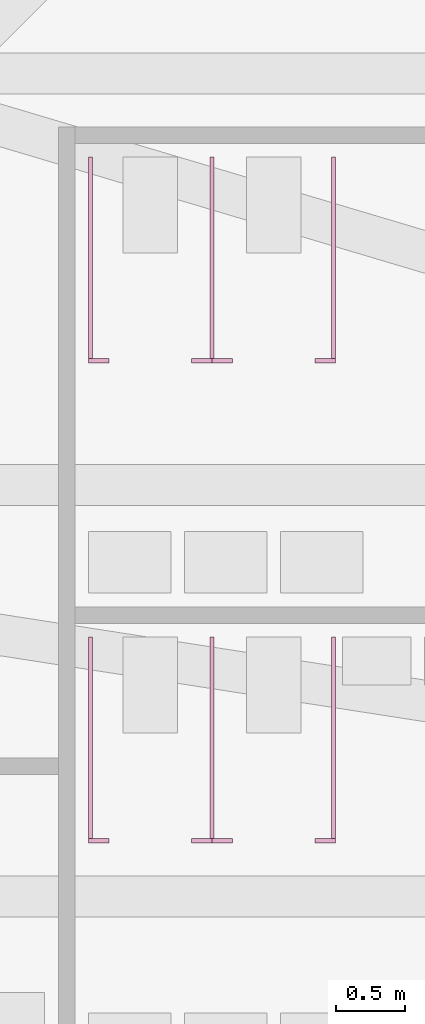
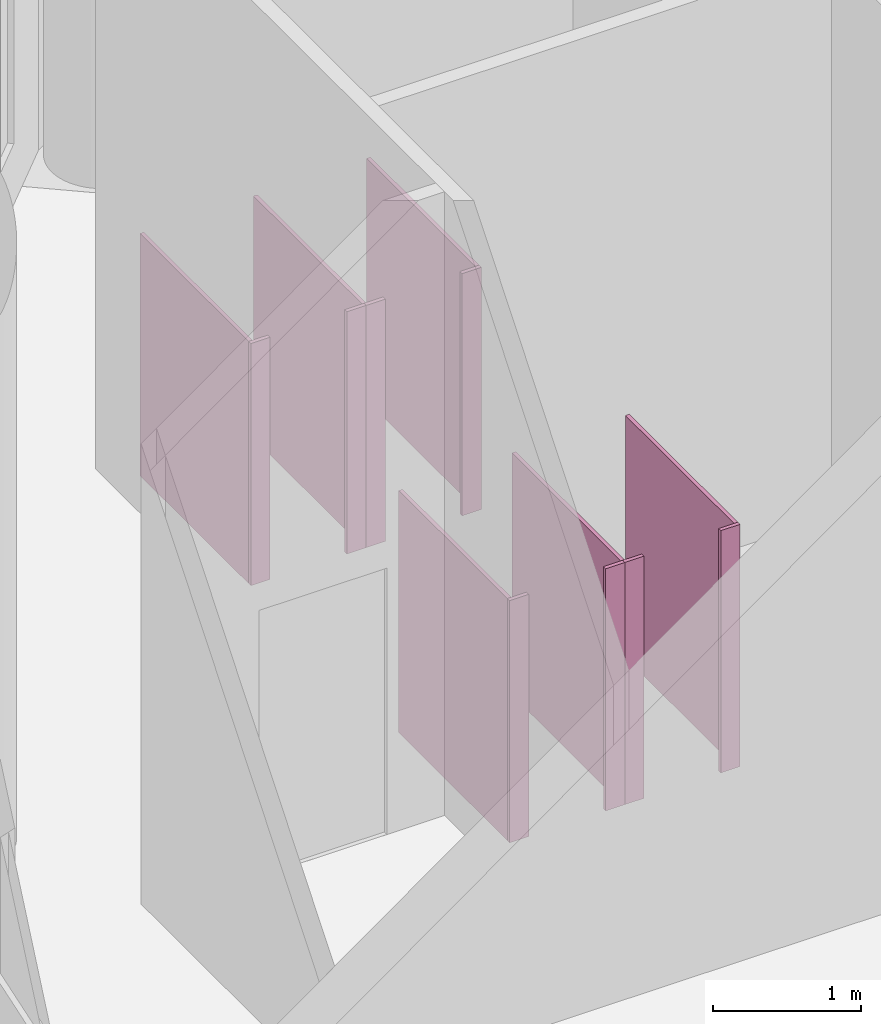
# One storey, part 11 of 11: 14 furniture elements.
"""IFC4 building model written with IfcOpenShell, lengths in metres."""

from ifc_helpers import new_model, si_unit, direction, frame, origin, origin_2d, place, context, subcontext, project, spatial, rectangle, extrude, element, save


model = new_model("IFC4")

# Units and contexts
model_context = context("Model", 3, precision=1e-05, world=origin(), true_north=direction((0.0, 1.0)))
body_context = subcontext(model_context, "Body", "Model", "MODEL_VIEW")
ifc_project = project(units=[si_unit("LENGTHUNIT", "METRE"), si_unit("AREAUNIT", "SQUARE_METRE"), si_unit("VOLUMEUNIT", "CUBIC_METRE"), si_unit("PLANEANGLEUNIT", "RADIAN"), si_unit("MASSUNIT", "GRAM", prefix="KILO")], contexts=[model_context])

# Site, building, storey
site_placement = place(None, origin())
site = spatial("IfcSite", under=ifc_project, at=site_placement, CompositionType="ELEMENT")
building_placement = place(site_placement, origin())
building = spatial("IfcBuilding", under=site, at=building_placement, Name="Hankou Lantern Tower", CompositionType="ELEMENT")
storey_placement = place(building_placement, frame((0.0, 0.0, 237.300048828125)))
storey = spatial("IfcBuildingStorey", under=building, at=storey_placement, Name="L64", CompositionType="ELEMENT", Elevation=237.300048828125)

# Furniture
for number, where, z_axis, x_axis, name in (
    (1, (-14.52490234375, 2.655029296875, 0.0), (0.0, 0.0, 1.0), (1.0, 0.0, 0.0), "Male WC cubicle partition 1"),
    (2, (-13.639892578125, 2.655029296875, 0.0), (0.0, 0.0, 1.0), (1.0, 0.0, 0.0), "Male WC cubicle partition 2"),
    (3, (-12.7548828125, 2.655029296875, 0.0), (0.0, 0.0, 1.0), (1.0, 0.0, 0.0), "Male WC cubicle partition 3"),
):
    element("IfcFurniture", number, at=place(storey_placement, frame(where, z_axis=z_axis, x_axis=x_axis)), inside=storey, Name=name, ObjectType="WC cubicle partition", PredefinedType="USERDEFINED", context=body_context, shape_type="SweptSolid", body=[
        extrude(rectangle(XDim=0.030029296875, YDim=1.469970703125, at=origin_2d()), origin(), (0.0, 0.0, 1.0), 2.0),
    ])
for number, where, z_axis, x_axis, name in (
    (4, (-14.465087890625, 1.905029296875, 0.0), (0.0, 0.0, 1.0), (1.0, 0.0, 0.0), "Male WC cubicle partition 4"),
    (5, (-13.715087890625, 1.905029296875, 0.0), (0.0, 0.0, 1.0), (1.0, 0.0, 0.0), "Male WC cubicle partition 5"),
    (6, (-13.56494140625, 1.905029296875, 0.0), (0.0, 0.0, 1.0), (1.0, 0.0, 0.0), "Male WC cubicle partition 6"),
    (7, (-12.81494140625, 1.905029296875, 0.0), (0.0, 0.0, 1.0), (1.0, 0.0, 0.0), "Male WC cubicle partition 7"),
):
    element("IfcFurniture", number, at=place(storey_placement, frame(where, z_axis=z_axis, x_axis=x_axis)), inside=storey, Name=name, ObjectType="WC cubicle partition", PredefinedType="USERDEFINED", context=body_context, shape_type="SweptSolid", body=[
        extrude(rectangle(XDim=0.14990234375, YDim=0.030029296875, at=origin_2d()), origin(), (0.0, 0.0, 1.0), 2.0),
    ])
for number, where, z_axis, x_axis, name in (
    (8, (-14.52490234375, 6.155029296875, 0.0), (0.0, 0.0, 1.0), (1.0, 0.0, 0.0), "Female WC cubicle partition 1"),
    (9, (-13.639892578125, 6.155029296875, 0.0), (0.0, 0.0, 1.0), (1.0, 0.0, 0.0), "Female WC cubicle partition 2"),
    (10, (-12.7548828125, 6.155029296875, 0.0), (0.0, 0.0, 1.0), (1.0, 0.0, 0.0), "Female WC cubicle partition 3"),
):
    element("IfcFurniture", number, at=place(storey_placement, frame(where, z_axis=z_axis, x_axis=x_axis)), inside=storey, Name=name, ObjectType="WC cubicle partition", PredefinedType="USERDEFINED", context=body_context, shape_type="SweptSolid", body=[
        extrude(rectangle(XDim=0.030029296875, YDim=1.469970703125, at=origin_2d()), origin(), (0.0, 0.0, 1.0), 2.0),
    ])
for number, where, z_axis, x_axis, name in (
    (11, (-14.465087890625, 5.405029296875, 0.0), (0.0, 0.0, 1.0), (1.0, 0.0, 0.0), "Female WC cubicle partition 4"),
    (12, (-13.715087890625, 5.405029296875, 0.0), (0.0, 0.0, 1.0), (1.0, 0.0, 0.0), "Female WC cubicle partition 5"),
    (13, (-13.56494140625, 5.405029296875, 0.0), (0.0, 0.0, 1.0), (1.0, 0.0, 0.0), "Female WC cubicle partition 6"),
    (14, (-12.81494140625, 5.405029296875, 0.0), (0.0, 0.0, 1.0), (1.0, 0.0, 0.0), "Female WC cubicle partition 7"),
):
    element("IfcFurniture", number, at=place(storey_placement, frame(where, z_axis=z_axis, x_axis=x_axis)), inside=storey, Name=name, ObjectType="WC cubicle partition", PredefinedType="USERDEFINED", context=body_context, shape_type="SweptSolid", body=[
        extrude(rectangle(XDim=0.14990234375, YDim=0.030029296875, at=origin_2d()), origin(), (0.0, 0.0, 1.0), 2.0),
    ])

save(model, "model.ifc")
